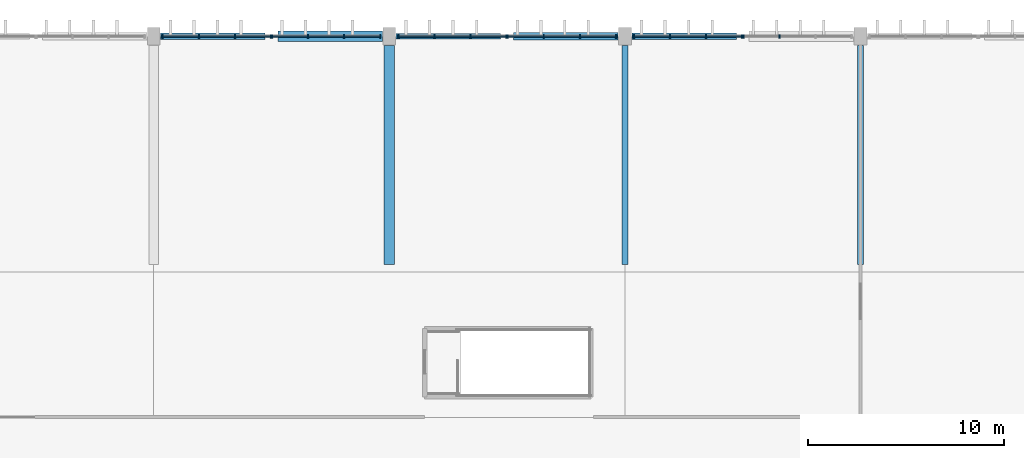
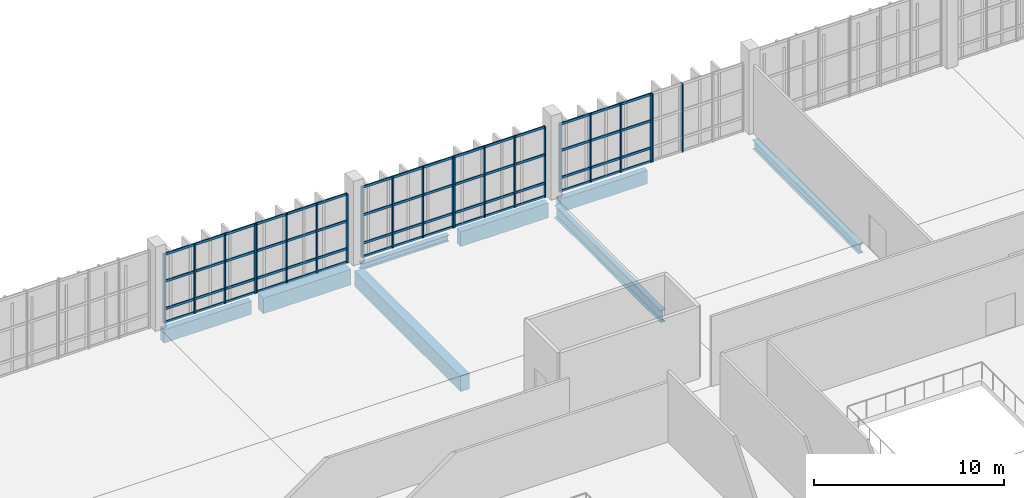
# One storey, part 54 of 112: 42 members, 8 beams, 6 elements without a shape of their own.
"""IFC4 building model written with IfcOpenShell, lengths in metres."""

from ifc_helpers import new_model, si_unit, direction, frame, origin, origin_2d, place, context, subcontext, project, spatial, rectangle, i_section, extrude, material, material_profile, profile_set, type_object, element, aggregate, save


model = new_model("IFC4")

# Units and contexts
model_context = context("Model", 3, precision=1e-05, world=origin(), true_north=direction((0.0, 1.0)))
body_context = subcontext(model_context, "Body", "Model", "MODEL_VIEW")
ifc_project = project(units=[si_unit("LENGTHUNIT", "METRE"), si_unit("AREAUNIT", "SQUARE_METRE"), si_unit("VOLUMEUNIT", "CUBIC_METRE"), si_unit("PLANEANGLEUNIT", "RADIAN"), si_unit("MASSUNIT", "GRAM", prefix="KILO")], contexts=[model_context])

# Site, building, storey
site_placement = place(None, origin())
site = spatial("IfcSite", under=ifc_project, at=site_placement, CompositionType="ELEMENT")
building_placement = place(site_placement, origin())
building = spatial("IfcBuilding", under=site, at=building_placement, Name="Kamomehara Wholesale Market", CompositionType="ELEMENT")
storey_placement = place(building_placement, frame((0.0, 0.0, 6.60009765625)))
storey = spatial("IfcBuildingStorey", under=building, at=storey_placement, Name="L01", CompositionType="ELEMENT", Elevation=6.60009765625)

# Beams
ifc_material_1 = material(Name="Concrete Fc36 (C35/45)", Category="concrete")
ifc_material_profile_1 = material_profile(ifc_material_1, rectangle(XDim=0.550048828125, YDim=1.0, at=origin_2d()), Name="RC-SEB-550x1000")
ifc_profile_set_1 = profile_set([ifc_material_profile_1], Name="Concrete Fc36 (C35/45)")
beam_type_1 = type_object("IfcBeamType", Name="BM-SEB1000-EXT", PredefinedType="SPANDREL", material=ifc_profile_set_1)
beam_1_placement = place(storey_placement, frame((108.0, 144.375, -0.81201171875), z_axis=(0.0, 1.0, 0.0), x_axis=(-1.0, 0.0, 0.0)))
element("IfcBeam", 1, at=beam_1_placement, inside=storey, type_object=beam_type_1, Name="Beam SEB-03E L01", PredefinedType="SPANDREL", context=body_context, shape_type="SweptSolid", body=[
    extrude(rectangle(XDim=0.550048828125, YDim=1.0, at=origin_2d()), origin(), (0.0, 0.0, 1.0), 11.14990234375),
])
beam_2_placement = place(storey_placement, frame((102.324951171875, 156.0, -0.81201171875), z_axis=(1.0, 0.0, 0.0), x_axis=(0.0, 1.0, 0.0)))
element("IfcBeam", 2, at=beam_2_placement, inside=storey, type_object=beam_type_1, Name="Beam SEB-03E L01", PredefinedType="SPANDREL", context=body_context, shape_type="SweptSolid", body=[
    extrude(rectangle(XDim=0.550048828125, YDim=1.0, at=origin_2d()), origin(), (0.0, 0.0, 1.0), 5.324951171875),
])
ifc_material_2 = material(Name="Precast concrete Fc45 (C40/50)", Category="concrete")
ifc_material_profile_2 = material_profile(ifc_material_2, rectangle(XDim=0.35009765625, YDim=0.85009765625, at=origin_2d()), Name="PC-SPN-350x850")
ifc_profile_set_2 = profile_set([ifc_material_profile_2], Name="Precast concrete Fc45 (C40/50)")
beam_type_2 = type_object("IfcBeamType", Name="BM-SPN850-EXT", PredefinedType="SPANDREL", material=ifc_profile_set_2)
for number, where, z_axis, x_axis, name in (
    (3, (96.35009765625, 156.0, -0.737060546875), (1.0, 0.0, 0.0), (0.0, 1.0, 0.0), "Beam SPN-02E L01"),
    (4, (120.35009765625, 156.0, -0.777099609375), (1.0, 0.0, 0.0), (0.0, 1.0, 0.0), "Beam SPN-02E L01"),
):
    element("IfcBeam", number, at=place(storey_placement, frame(where, z_axis=z_axis, x_axis=x_axis)), inside=storey, type_object=beam_type_2, Name=name, PredefinedType="SPANDREL", context=body_context, shape_type="SweptSolid", body=[
        extrude(rectangle(XDim=0.35009765625, YDim=0.85009765625, at=origin_2d()), origin(), (0.0, 0.0, 1.0), 5.324951171875),
    ])
ifc_material_3 = material(Name="Precast concrete Fc45 (C40/50)", Category="concrete")
ifc_material_profile_3 = material_profile(ifc_material_3, rectangle(XDim=0.39990234375, YDim=0.949951171875, at=origin_2d()), Name="PC-SPN-400x950")
ifc_profile_set_3 = profile_set([ifc_material_profile_3], Name="Precast concrete Fc45 (C40/50)")
beam_type_3 = type_object("IfcBeamType", Name="BM-SPN950-EXT", PredefinedType="SPANDREL", material=ifc_profile_set_3)
beam_3_placement = place(storey_placement, frame((114.324951171875, 156.0, -0.787109375), z_axis=(1.0, 0.0, 0.0), x_axis=(0.0, 1.0, 0.0)))
element("IfcBeam", 5, at=beam_3_placement, inside=storey, type_object=beam_type_3, Name="Beam SPN-01E L01", PredefinedType="SPANDREL", context=body_context, shape_type="SweptSolid", body=[
    extrude(rectangle(XDim=0.39990234375, YDim=0.949951171875, at=origin_2d()), origin(), (0.0, 0.0, 1.0), 5.324951171875),
])
ifc_material_4 = material(Name="Steel SN490B", Category="steel")
ifc_material_profile_4 = material_profile(ifc_material_4, i_section(OverallWidth=0.300048828125, OverallDepth=0.389892578125, WebThickness=0.010009765625, FlangeThickness=0.01611328125, FilletRadius=0.01806640625, at=origin_2d()), Name="H-390x300x10x16")
ifc_profile_set_4 = profile_set([ifc_material_profile_4], Name="Steel SN490B")
beam_type_4 = type_object("IfcBeamType", Name="BM-ST-H390-EXT", PredefinedType="SPANDREL", material=ifc_profile_set_4)
beam_4_placement = place(storey_placement, frame((108.35009765625, 156.0, -0.507080078125), z_axis=(1.0, 0.0, 0.0), x_axis=(0.0, 1.0, 0.0)))
element("IfcBeam", 6, at=beam_4_placement, inside=storey, type_object=beam_type_4, Name="Beam SJ-03E L01", PredefinedType="SPANDREL", context=body_context, shape_type="SweptSolid", body=[
    extrude(i_section(OverallWidth=0.300048828125, OverallDepth=0.389892578125, WebThickness=0.010009765625, FlangeThickness=0.01611328125, FilletRadius=0.01806640625, at=origin_2d()), origin(), (0.0, 0.0, 1.0), 5.324951171875),
])
ifc_material_5 = material(Name="Steel SN490B", Category="steel")
ifc_material_profile_5 = material_profile(ifc_material_5, i_section(OverallWidth=0.300048828125, OverallDepth=0.58203125, WebThickness=0.011962890625, FlangeThickness=0.01708984375, FilletRadius=0.02197265625, at=origin_2d()), Name="H-582x300x12x17")
ifc_profile_set_5 = profile_set([ifc_material_profile_5], Name="Steel SN490B")
beam_type_5 = type_object("IfcBeamType", Name="BM-ST-H582", PredefinedType="BEAM", material=ifc_profile_set_5)
beam_5_placement = place(storey_placement, frame((132.0, 144.375, -0.64306640625), z_axis=(0.0, 1.0, 0.0), x_axis=(-1.0, 0.0, 0.0)))
element("IfcBeam", 7, at=beam_5_placement, inside=storey, type_object=beam_type_5, Name="Beam SG-10 L01", PredefinedType="BEAM", context=body_context, shape_type="SweptSolid", body=[
    extrude(i_section(OverallWidth=0.300048828125, OverallDepth=0.58203125, WebThickness=0.011962890625, FlangeThickness=0.01708984375, FilletRadius=0.02197265625, at=origin_2d()), origin(), (0.0, 0.0, 1.0), 11.14990234375),
])
ifc_material_6 = material(Name="Steel SN490B", Category="steel")
ifc_material_profile_6 = material_profile(ifc_material_6, i_section(OverallWidth=0.300048828125, OverallDepth=0.7919921875, WebThickness=0.013916015625, FlangeThickness=0.02197265625, FilletRadius=0.02392578125, at=origin_2d()), Name="H-792x300x14x22")
ifc_profile_set_6 = profile_set([ifc_material_profile_6], Name="Steel SN490B")
beam_type_6 = type_object("IfcBeamType", Name="BM-ST-H792", PredefinedType="BEAM", material=ifc_profile_set_6)
beam_6_placement = place(storey_placement, frame((120.0, 144.375, -0.748046875), z_axis=(0.0, 1.0, 0.0), x_axis=(-1.0, 0.0, 0.0)))
element("IfcBeam", 8, at=beam_6_placement, inside=storey, type_object=beam_type_6, Name="Beam SG-09 L01", PredefinedType="BEAM", context=body_context, shape_type="SweptSolid", body=[
    extrude(i_section(OverallWidth=0.300048828125, OverallDepth=0.7919921875, WebThickness=0.013916015625, FlangeThickness=0.02197265625, FilletRadius=0.02392578125, at=origin_2d()), origin(), (0.0, 0.0, 1.0), 11.14990234375),
])

# Curtain wall, members
ifc_material_7 = material(Name="Anodised aluminium 6063-T5", Category="aluminium")
curtain_wall_type = type_object("IfcCurtainWallType", Name="CW-UN-02", PredefinedType="NOTDEFINED", material=ifc_material_7)
curtain_wall_1_placement = place(storey_placement, origin())
curtain_wall_1 = element("IfcCurtainWall", 9, at=curtain_wall_1_placement, inside=storey, type_object=curtain_wall_type, Name="Unitised curtain wall CW-069", PredefinedType="NOTDEFINED")
ifc_material_8 = material(Name="Anodised aluminium 6063-T5", Category="aluminium")
ifc_material_profile_7 = material_profile(ifc_material_8, rectangle(XDim=0.074951171875, YDim=0.179931640625, at=origin_2d()), Name="ALU-MUL-75x180")
ifc_profile_set_7 = profile_set([ifc_material_profile_7], Name="Anodised aluminium 6063-T5")
member_type_1 = type_object("IfcMemberType", Name="CW-MUL-180", PredefinedType="MULLION", material=ifc_profile_set_7)
member_1_placement = place(storey_placement, frame((96.4599609375, 156.0, 0.0), z_axis=(0.0, 0.0, 1.0), x_axis=(1.0, 0.0, 0.0)))
member_1 = element("IfcMember", 10, at=member_1_placement, type_object=member_type_1, Name="Mullion CW-069.0", PredefinedType="MULLION", context=body_context, shape_type="SweptSolid", body=[
    extrude(rectangle(XDim=0.074951171875, YDim=0.179931640625, at=origin_2d()), origin(), (0.0, 0.0, 1.0), 4.429931640625),
])
member_2_placement = place(storey_placement, frame((98.297119140625, 156.0, 0.0), z_axis=(0.0, 0.0, 1.0), x_axis=(1.0, 0.0, 0.0)))
member_2 = element("IfcMember", 11, at=member_2_placement, type_object=member_type_1, Name="Mullion CW-069.1", PredefinedType="MULLION", context=body_context, shape_type="SweptSolid", body=[
    extrude(rectangle(XDim=0.074951171875, YDim=0.179931640625, at=origin_2d()), origin(), (0.0, 0.0, 1.0), 4.429931640625),
])
member_3_placement = place(storey_placement, frame((100.133056640625, 156.0, 0.0), z_axis=(0.0, 0.0, 1.0), x_axis=(1.0, 0.0, 0.0)))
member_3 = element("IfcMember", 12, at=member_3_placement, type_object=member_type_1, Name="Mullion CW-069.2", PredefinedType="MULLION", context=body_context, shape_type="SweptSolid", body=[
    extrude(rectangle(XDim=0.074951171875, YDim=0.179931640625, at=origin_2d()), origin(), (0.0, 0.0, 1.0), 4.429931640625),
])
member_4_placement = place(storey_placement, frame((101.969970703125, 156.0, 0.0), z_axis=(0.0, 0.0, 1.0), x_axis=(1.0, 0.0, 0.0)))
member_4 = element("IfcMember", 13, at=member_4_placement, type_object=member_type_1, Name="Mullion CW-069.3", PredefinedType="MULLION", context=body_context, shape_type="SweptSolid", body=[
    extrude(rectangle(XDim=0.074951171875, YDim=0.179931640625, at=origin_2d()), origin(), (0.0, 0.0, 1.0), 4.429931640625),
])

curtain_wall_2_placement = place(storey_placement, origin())
curtain_wall_2 = element("IfcCurtainWall", 14, at=curtain_wall_2_placement, inside=storey, type_object=curtain_wall_type, Name="Unitised curtain wall CW-070", PredefinedType="NOTDEFINED")
member_5_placement = place(storey_placement, frame((102.030029296875, 156.0, 0.0), z_axis=(0.0, 0.0, 1.0), x_axis=(1.0, 0.0, 0.0)))
member_5 = element("IfcMember", 15, at=member_5_placement, type_object=member_type_1, Name="Mullion CW-070.0", PredefinedType="MULLION", context=body_context, shape_type="SweptSolid", body=[
    extrude(rectangle(XDim=0.074951171875, YDim=0.179931640625, at=origin_2d()), origin(), (0.0, 0.0, 1.0), 4.429931640625),
])
member_6_placement = place(storey_placement, frame((103.866943359375, 156.0, 0.0), z_axis=(0.0, 0.0, 1.0), x_axis=(1.0, 0.0, 0.0)))
member_6 = element("IfcMember", 16, at=member_6_placement, type_object=member_type_1, Name="Mullion CW-070.1", PredefinedType="MULLION", context=body_context, shape_type="SweptSolid", body=[
    extrude(rectangle(XDim=0.074951171875, YDim=0.179931640625, at=origin_2d()), origin(), (0.0, 0.0, 1.0), 4.429931640625),
])
member_7_placement = place(storey_placement, frame((105.702880859375, 156.0, 0.0), z_axis=(0.0, 0.0, 1.0), x_axis=(1.0, 0.0, 0.0)))
member_7 = element("IfcMember", 17, at=member_7_placement, type_object=member_type_1, Name="Mullion CW-070.2", PredefinedType="MULLION", context=body_context, shape_type="SweptSolid", body=[
    extrude(rectangle(XDim=0.074951171875, YDim=0.179931640625, at=origin_2d()), origin(), (0.0, 0.0, 1.0), 4.429931640625),
])
member_8_placement = place(storey_placement, frame((107.5400390625, 156.0, 0.0), z_axis=(0.0, 0.0, 1.0), x_axis=(1.0, 0.0, 0.0)))
member_8 = element("IfcMember", 18, at=member_8_placement, type_object=member_type_1, Name="Mullion CW-070.3", PredefinedType="MULLION", context=body_context, shape_type="SweptSolid", body=[
    extrude(rectangle(XDim=0.074951171875, YDim=0.179931640625, at=origin_2d()), origin(), (0.0, 0.0, 1.0), 4.429931640625),
])

curtain_wall_3_placement = place(storey_placement, origin())
curtain_wall_3 = element("IfcCurtainWall", 19, at=curtain_wall_3_placement, inside=storey, type_object=curtain_wall_type, Name="Unitised curtain wall CW-073", PredefinedType="NOTDEFINED")
member_9_placement = place(storey_placement, frame((108.4599609375, 156.0, 0.0), z_axis=(0.0, 0.0, 1.0), x_axis=(1.0, 0.0, 0.0)))
member_9 = element("IfcMember", 20, at=member_9_placement, type_object=member_type_1, Name="Mullion CW-073.0", PredefinedType="MULLION", context=body_context, shape_type="SweptSolid", body=[
    extrude(rectangle(XDim=0.074951171875, YDim=0.179931640625, at=origin_2d()), origin(), (0.0, 0.0, 1.0), 4.52978515625),
])
member_10_placement = place(storey_placement, frame((110.297119140625, 156.0, 0.0), z_axis=(0.0, 0.0, 1.0), x_axis=(1.0, 0.0, 0.0)))
member_10 = element("IfcMember", 21, at=member_10_placement, type_object=member_type_1, Name="Mullion CW-073.1", PredefinedType="MULLION", context=body_context, shape_type="SweptSolid", body=[
    extrude(rectangle(XDim=0.074951171875, YDim=0.179931640625, at=origin_2d()), origin(), (0.0, 0.0, 1.0), 4.52978515625),
])
member_11_placement = place(storey_placement, frame((112.133056640625, 156.0, 0.0), z_axis=(0.0, 0.0, 1.0), x_axis=(1.0, 0.0, 0.0)))
member_11 = element("IfcMember", 22, at=member_11_placement, type_object=member_type_1, Name="Mullion CW-073.2", PredefinedType="MULLION", context=body_context, shape_type="SweptSolid", body=[
    extrude(rectangle(XDim=0.074951171875, YDim=0.179931640625, at=origin_2d()), origin(), (0.0, 0.0, 1.0), 4.52978515625),
])
member_12_placement = place(storey_placement, frame((113.969970703125, 156.0, 0.0), z_axis=(0.0, 0.0, 1.0), x_axis=(1.0, 0.0, 0.0)))
member_12 = element("IfcMember", 23, at=member_12_placement, type_object=member_type_1, Name="Mullion CW-073.3", PredefinedType="MULLION", context=body_context, shape_type="SweptSolid", body=[
    extrude(rectangle(XDim=0.074951171875, YDim=0.179931640625, at=origin_2d()), origin(), (0.0, 0.0, 1.0), 4.52978515625),
])

curtain_wall_4_placement = place(storey_placement, origin())
curtain_wall_4 = element("IfcCurtainWall", 24, at=curtain_wall_4_placement, inside=storey, type_object=curtain_wall_type, Name="Unitised curtain wall CW-074", PredefinedType="NOTDEFINED")
member_13_placement = place(storey_placement, frame((114.030029296875, 156.0, 0.0), z_axis=(0.0, 0.0, 1.0), x_axis=(1.0, 0.0, 0.0)))
member_13 = element("IfcMember", 25, at=member_13_placement, type_object=member_type_1, Name="Mullion CW-074.0", PredefinedType="MULLION", context=body_context, shape_type="SweptSolid", body=[
    extrude(rectangle(XDim=0.074951171875, YDim=0.179931640625, at=origin_2d()), origin(), (0.0, 0.0, 1.0), 4.52978515625),
])
member_14_placement = place(storey_placement, frame((115.866943359375, 156.0, 0.0), z_axis=(0.0, 0.0, 1.0), x_axis=(1.0, 0.0, 0.0)))
member_14 = element("IfcMember", 26, at=member_14_placement, type_object=member_type_1, Name="Mullion CW-074.1", PredefinedType="MULLION", context=body_context, shape_type="SweptSolid", body=[
    extrude(rectangle(XDim=0.074951171875, YDim=0.179931640625, at=origin_2d()), origin(), (0.0, 0.0, 1.0), 4.52978515625),
])
member_15_placement = place(storey_placement, frame((117.702880859375, 156.0, 0.0), z_axis=(0.0, 0.0, 1.0), x_axis=(1.0, 0.0, 0.0)))
member_15 = element("IfcMember", 27, at=member_15_placement, type_object=member_type_1, Name="Mullion CW-074.2", PredefinedType="MULLION", context=body_context, shape_type="SweptSolid", body=[
    extrude(rectangle(XDim=0.074951171875, YDim=0.179931640625, at=origin_2d()), origin(), (0.0, 0.0, 1.0), 4.52978515625),
])
member_16_placement = place(storey_placement, frame((119.5400390625, 156.0, 0.0), z_axis=(0.0, 0.0, 1.0), x_axis=(1.0, 0.0, 0.0)))
member_16 = element("IfcMember", 28, at=member_16_placement, type_object=member_type_1, Name="Mullion CW-074.3", PredefinedType="MULLION", context=body_context, shape_type="SweptSolid", body=[
    extrude(rectangle(XDim=0.074951171875, YDim=0.179931640625, at=origin_2d()), origin(), (0.0, 0.0, 1.0), 4.52978515625),
])

curtain_wall_5_placement = place(storey_placement, origin())
curtain_wall_5 = element("IfcCurtainWall", 29, at=curtain_wall_5_placement, inside=storey, type_object=curtain_wall_type, Name="Unitised curtain wall CW-077", PredefinedType="NOTDEFINED")
member_17_placement = place(storey_placement, frame((120.4599609375, 156.0, 0.0), z_axis=(0.0, 0.0, 1.0), x_axis=(1.0, 0.0, 0.0)))
member_17 = element("IfcMember", 30, at=member_17_placement, type_object=member_type_1, Name="Mullion CW-077.0", PredefinedType="MULLION", context=body_context, shape_type="SweptSolid", body=[
    extrude(rectangle(XDim=0.074951171875, YDim=0.179931640625, at=origin_2d()), origin(), (0.0, 0.0, 1.0), 4.3798828125),
])
member_18_placement = place(storey_placement, frame((122.297119140625, 156.0, 0.0), z_axis=(0.0, 0.0, 1.0), x_axis=(1.0, 0.0, 0.0)))
member_18 = element("IfcMember", 31, at=member_18_placement, type_object=member_type_1, Name="Mullion CW-077.1", PredefinedType="MULLION", context=body_context, shape_type="SweptSolid", body=[
    extrude(rectangle(XDim=0.074951171875, YDim=0.179931640625, at=origin_2d()), origin(), (0.0, 0.0, 1.0), 4.3798828125),
])
member_19_placement = place(storey_placement, frame((124.133056640625, 156.0, 0.0), z_axis=(0.0, 0.0, 1.0), x_axis=(1.0, 0.0, 0.0)))
member_19 = element("IfcMember", 32, at=member_19_placement, type_object=member_type_1, Name="Mullion CW-077.2", PredefinedType="MULLION", context=body_context, shape_type="SweptSolid", body=[
    extrude(rectangle(XDim=0.074951171875, YDim=0.179931640625, at=origin_2d()), origin(), (0.0, 0.0, 1.0), 4.3798828125),
])
member_20_placement = place(storey_placement, frame((125.969970703125, 156.0, 0.0), z_axis=(0.0, 0.0, 1.0), x_axis=(1.0, 0.0, 0.0)))
member_20 = element("IfcMember", 33, at=member_20_placement, type_object=member_type_1, Name="Mullion CW-077.3", PredefinedType="MULLION", context=body_context, shape_type="SweptSolid", body=[
    extrude(rectangle(XDim=0.074951171875, YDim=0.179931640625, at=origin_2d()), origin(), (0.0, 0.0, 1.0), 4.3798828125),
])

curtain_wall_6_placement = place(storey_placement, origin())
curtain_wall_6 = element("IfcCurtainWall", 34, at=curtain_wall_6_placement, inside=storey, type_object=curtain_wall_type, Name="Unitised curtain wall CW-078", PredefinedType="NOTDEFINED")
member_21_placement = place(storey_placement, frame((126.030029296875, 156.0, 0.0), z_axis=(0.0, 0.0, 1.0), x_axis=(1.0, 0.0, 0.0)))
member_21 = element("IfcMember", 35, at=member_21_placement, type_object=member_type_1, Name="Mullion CW-078.0", PredefinedType="MULLION", context=body_context, shape_type="SweptSolid", body=[
    extrude(rectangle(XDim=0.074951171875, YDim=0.179931640625, at=origin_2d()), origin(), (0.0, 0.0, 1.0), 4.3798828125),
])
member_22_placement = place(storey_placement, frame((127.866943359375, 156.0, 0.0), z_axis=(0.0, 0.0, 1.0), x_axis=(1.0, 0.0, 0.0)))
member_22 = element("IfcMember", 36, at=member_22_placement, type_object=member_type_1, Name="Mullion CW-078.1", PredefinedType="MULLION", context=body_context, shape_type="SweptSolid", body=[
    extrude(rectangle(XDim=0.074951171875, YDim=0.179931640625, at=origin_2d()), origin(), (0.0, 0.0, 1.0), 4.3798828125),
])
aggregate(curtain_wall_6, [member_21, member_22])

# Member
ifc_material_9 = material(Name="Anodised aluminium 6063-T5", Category="aluminium")
ifc_material_profile_8 = material_profile(ifc_material_9, rectangle(XDim=0.074951171875, YDim=0.14990234375, at=origin_2d()), Name="ALU-TRN-75x150")
ifc_profile_set_8 = profile_set([ifc_material_profile_8], Name="Anodised aluminium 6063-T5")
member_type_2 = type_object("IfcMemberType", Name="CW-TRN-150", PredefinedType="USERDEFINED", material=ifc_profile_set_8)
member_23_placement = place(storey_placement, frame((96.4599609375, 156.0, 0.039794921875), z_axis=(1.0, 0.0, 0.0), x_axis=(0.0, 1.0, 0.0)))
member_23 = element("IfcMember", 37, at=member_23_placement, type_object=member_type_2, Name="Transom CW-069.0", ObjectType="TRANSOM", PredefinedType="USERDEFINED", context=body_context, shape_type="SweptSolid", body=[
    extrude(rectangle(XDim=0.074951171875, YDim=0.14990234375, at=origin_2d()), origin(), (0.0, 0.0, 1.0), 5.510009765625),
])

member_24_placement = place(storey_placement, frame((96.4599609375, 156.0, 0.89990234375), z_axis=(1.0, 0.0, 0.0), x_axis=(0.0, 1.0, 0.0)))
member_24 = element("IfcMember", 38, at=member_24_placement, type_object=member_type_2, Name="Transom CW-069.1", ObjectType="TRANSOM", PredefinedType="USERDEFINED", context=body_context, shape_type="SweptSolid", body=[
    extrude(rectangle(XDim=0.074951171875, YDim=0.14990234375, at=origin_2d()), origin(), (0.0, 0.0, 1.0), 5.510009765625),
])

member_25_placement = place(storey_placement, frame((96.4599609375, 156.0, 2.664794921875), z_axis=(1.0, 0.0, 0.0), x_axis=(0.0, 1.0, 0.0)))
member_25 = element("IfcMember", 39, at=member_25_placement, type_object=member_type_2, Name="Transom CW-069.2", ObjectType="TRANSOM", PredefinedType="USERDEFINED", context=body_context, shape_type="SweptSolid", body=[
    extrude(rectangle(XDim=0.074951171875, YDim=0.14990234375, at=origin_2d()), origin(), (0.0, 0.0, 1.0), 5.510009765625),
])

member_26_placement = place(storey_placement, frame((96.4599609375, 156.0, 4.389892578125), z_axis=(1.0, 0.0, 0.0), x_axis=(0.0, 1.0, 0.0)))
member_26 = element("IfcMember", 40, at=member_26_placement, type_object=member_type_2, Name="Transom CW-069.3", ObjectType="TRANSOM", PredefinedType="USERDEFINED", context=body_context, shape_type="SweptSolid", body=[
    extrude(rectangle(XDim=0.074951171875, YDim=0.14990234375, at=origin_2d()), origin(), (0.0, 0.0, 1.0), 5.510009765625),
])

aggregate(curtain_wall_1, [member_1, member_2, member_3, member_4, member_23, member_24, member_25, member_26])

member_27_placement = place(storey_placement, frame((102.030029296875, 156.0, 0.039794921875), z_axis=(1.0, 0.0, 0.0), x_axis=(0.0, 1.0, 0.0)))
member_27 = element("IfcMember", 41, at=member_27_placement, type_object=member_type_2, Name="Transom CW-070.0", ObjectType="TRANSOM", PredefinedType="USERDEFINED", context=body_context, shape_type="SweptSolid", body=[
    extrude(rectangle(XDim=0.074951171875, YDim=0.14990234375, at=origin_2d()), origin(), (0.0, 0.0, 1.0), 5.510009765625),
])

member_28_placement = place(storey_placement, frame((102.030029296875, 156.0, 0.89990234375), z_axis=(1.0, 0.0, 0.0), x_axis=(0.0, 1.0, 0.0)))
member_28 = element("IfcMember", 42, at=member_28_placement, type_object=member_type_2, Name="Transom CW-070.1", ObjectType="TRANSOM", PredefinedType="USERDEFINED", context=body_context, shape_type="SweptSolid", body=[
    extrude(rectangle(XDim=0.074951171875, YDim=0.14990234375, at=origin_2d()), origin(), (0.0, 0.0, 1.0), 5.510009765625),
])

member_29_placement = place(storey_placement, frame((102.030029296875, 156.0, 2.664794921875), z_axis=(1.0, 0.0, 0.0), x_axis=(0.0, 1.0, 0.0)))
member_29 = element("IfcMember", 43, at=member_29_placement, type_object=member_type_2, Name="Transom CW-070.2", ObjectType="TRANSOM", PredefinedType="USERDEFINED", context=body_context, shape_type="SweptSolid", body=[
    extrude(rectangle(XDim=0.074951171875, YDim=0.14990234375, at=origin_2d()), origin(), (0.0, 0.0, 1.0), 5.510009765625),
])

member_30_placement = place(storey_placement, frame((102.030029296875, 156.0, 4.389892578125), z_axis=(1.0, 0.0, 0.0), x_axis=(0.0, 1.0, 0.0)))
member_30 = element("IfcMember", 44, at=member_30_placement, type_object=member_type_2, Name="Transom CW-070.3", ObjectType="TRANSOM", PredefinedType="USERDEFINED", context=body_context, shape_type="SweptSolid", body=[
    extrude(rectangle(XDim=0.074951171875, YDim=0.14990234375, at=origin_2d()), origin(), (0.0, 0.0, 1.0), 5.510009765625),
])

aggregate(curtain_wall_2, [member_5, member_6, member_7, member_8, member_27, member_28, member_29, member_30])

member_31_placement = place(storey_placement, frame((108.4599609375, 156.0, 0.039794921875), z_axis=(1.0, 0.0, 0.0), x_axis=(0.0, 1.0, 0.0)))
member_31 = element("IfcMember", 45, at=member_31_placement, type_object=member_type_2, Name="Transom CW-073.0", ObjectType="TRANSOM", PredefinedType="USERDEFINED", context=body_context, shape_type="SweptSolid", body=[
    extrude(rectangle(XDim=0.074951171875, YDim=0.14990234375, at=origin_2d()), origin(), (0.0, 0.0, 1.0), 5.510009765625),
])

member_32_placement = place(storey_placement, frame((108.4599609375, 156.0, 0.89990234375), z_axis=(1.0, 0.0, 0.0), x_axis=(0.0, 1.0, 0.0)))
member_32 = element("IfcMember", 46, at=member_32_placement, type_object=member_type_2, Name="Transom CW-073.1", ObjectType="TRANSOM", PredefinedType="USERDEFINED", context=body_context, shape_type="SweptSolid", body=[
    extrude(rectangle(XDim=0.074951171875, YDim=0.14990234375, at=origin_2d()), origin(), (0.0, 0.0, 1.0), 5.510009765625),
])

member_33_placement = place(storey_placement, frame((108.4599609375, 156.0, 2.71484375), z_axis=(1.0, 0.0, 0.0), x_axis=(0.0, 1.0, 0.0)))
member_33 = element("IfcMember", 47, at=member_33_placement, type_object=member_type_2, Name="Transom CW-073.2", ObjectType="TRANSOM", PredefinedType="USERDEFINED", context=body_context, shape_type="SweptSolid", body=[
    extrude(rectangle(XDim=0.074951171875, YDim=0.14990234375, at=origin_2d()), origin(), (0.0, 0.0, 1.0), 5.510009765625),
])

member_34_placement = place(storey_placement, frame((108.4599609375, 156.0, 4.489990234375), z_axis=(1.0, 0.0, 0.0), x_axis=(0.0, 1.0, 0.0)))
member_34 = element("IfcMember", 48, at=member_34_placement, type_object=member_type_2, Name="Transom CW-073.3", ObjectType="TRANSOM", PredefinedType="USERDEFINED", context=body_context, shape_type="SweptSolid", body=[
    extrude(rectangle(XDim=0.074951171875, YDim=0.14990234375, at=origin_2d()), origin(), (0.0, 0.0, 1.0), 5.510009765625),
])

aggregate(curtain_wall_3, [member_9, member_10, member_11, member_12, member_31, member_32, member_33, member_34])

member_35_placement = place(storey_placement, frame((114.030029296875, 156.0, 0.039794921875), z_axis=(1.0, 0.0, 0.0), x_axis=(0.0, 1.0, 0.0)))
member_35 = element("IfcMember", 49, at=member_35_placement, type_object=member_type_2, Name="Transom CW-074.0", ObjectType="TRANSOM", PredefinedType="USERDEFINED", context=body_context, shape_type="SweptSolid", body=[
    extrude(rectangle(XDim=0.074951171875, YDim=0.14990234375, at=origin_2d()), origin(), (0.0, 0.0, 1.0), 5.510009765625),
])

member_36_placement = place(storey_placement, frame((114.030029296875, 156.0, 0.89990234375), z_axis=(1.0, 0.0, 0.0), x_axis=(0.0, 1.0, 0.0)))
member_36 = element("IfcMember", 50, at=member_36_placement, type_object=member_type_2, Name="Transom CW-074.1", ObjectType="TRANSOM", PredefinedType="USERDEFINED", context=body_context, shape_type="SweptSolid", body=[
    extrude(rectangle(XDim=0.074951171875, YDim=0.14990234375, at=origin_2d()), origin(), (0.0, 0.0, 1.0), 5.510009765625),
])

member_37_placement = place(storey_placement, frame((114.030029296875, 156.0, 2.71484375), z_axis=(1.0, 0.0, 0.0), x_axis=(0.0, 1.0, 0.0)))
member_37 = element("IfcMember", 51, at=member_37_placement, type_object=member_type_2, Name="Transom CW-074.2", ObjectType="TRANSOM", PredefinedType="USERDEFINED", context=body_context, shape_type="SweptSolid", body=[
    extrude(rectangle(XDim=0.074951171875, YDim=0.14990234375, at=origin_2d()), origin(), (0.0, 0.0, 1.0), 5.510009765625),
])

member_38_placement = place(storey_placement, frame((114.030029296875, 156.0, 4.489990234375), z_axis=(1.0, 0.0, 0.0), x_axis=(0.0, 1.0, 0.0)))
member_38 = element("IfcMember", 52, at=member_38_placement, type_object=member_type_2, Name="Transom CW-074.3", ObjectType="TRANSOM", PredefinedType="USERDEFINED", context=body_context, shape_type="SweptSolid", body=[
    extrude(rectangle(XDim=0.074951171875, YDim=0.14990234375, at=origin_2d()), origin(), (0.0, 0.0, 1.0), 5.510009765625),
])

aggregate(curtain_wall_4, [member_13, member_14, member_15, member_16, member_35, member_36, member_37, member_38])

member_39_placement = place(storey_placement, frame((120.4599609375, 156.0, 0.039794921875), z_axis=(1.0, 0.0, 0.0), x_axis=(0.0, 1.0, 0.0)))
member_39 = element("IfcMember", 53, at=member_39_placement, type_object=member_type_2, Name="Transom CW-077.0", ObjectType="TRANSOM", PredefinedType="USERDEFINED", context=body_context, shape_type="SweptSolid", body=[
    extrude(rectangle(XDim=0.074951171875, YDim=0.14990234375, at=origin_2d()), origin(), (0.0, 0.0, 1.0), 5.510009765625),
])

member_40_placement = place(storey_placement, frame((120.4599609375, 156.0, 0.89990234375), z_axis=(1.0, 0.0, 0.0), x_axis=(0.0, 1.0, 0.0)))
member_40 = element("IfcMember", 54, at=member_40_placement, type_object=member_type_2, Name="Transom CW-077.1", ObjectType="TRANSOM", PredefinedType="USERDEFINED", context=body_context, shape_type="SweptSolid", body=[
    extrude(rectangle(XDim=0.074951171875, YDim=0.14990234375, at=origin_2d()), origin(), (0.0, 0.0, 1.0), 5.510009765625),
])

member_41_placement = place(storey_placement, frame((120.4599609375, 156.0, 2.639892578125), z_axis=(1.0, 0.0, 0.0), x_axis=(0.0, 1.0, 0.0)))
member_41 = element("IfcMember", 55, at=member_41_placement, type_object=member_type_2, Name="Transom CW-077.2", ObjectType="TRANSOM", PredefinedType="USERDEFINED", context=body_context, shape_type="SweptSolid", body=[
    extrude(rectangle(XDim=0.074951171875, YDim=0.14990234375, at=origin_2d()), origin(), (0.0, 0.0, 1.0), 5.510009765625),
])

member_42_placement = place(storey_placement, frame((120.4599609375, 156.0, 4.33984375), z_axis=(1.0, 0.0, 0.0), x_axis=(0.0, 1.0, 0.0)))
member_42 = element("IfcMember", 56, at=member_42_placement, type_object=member_type_2, Name="Transom CW-077.3", ObjectType="TRANSOM", PredefinedType="USERDEFINED", context=body_context, shape_type="SweptSolid", body=[
    extrude(rectangle(XDim=0.074951171875, YDim=0.14990234375, at=origin_2d()), origin(), (0.0, 0.0, 1.0), 5.510009765625),
])

aggregate(curtain_wall_5, [member_17, member_18, member_19, member_20, member_39, member_40, member_41, member_42])

save(model, "model.ifc")
